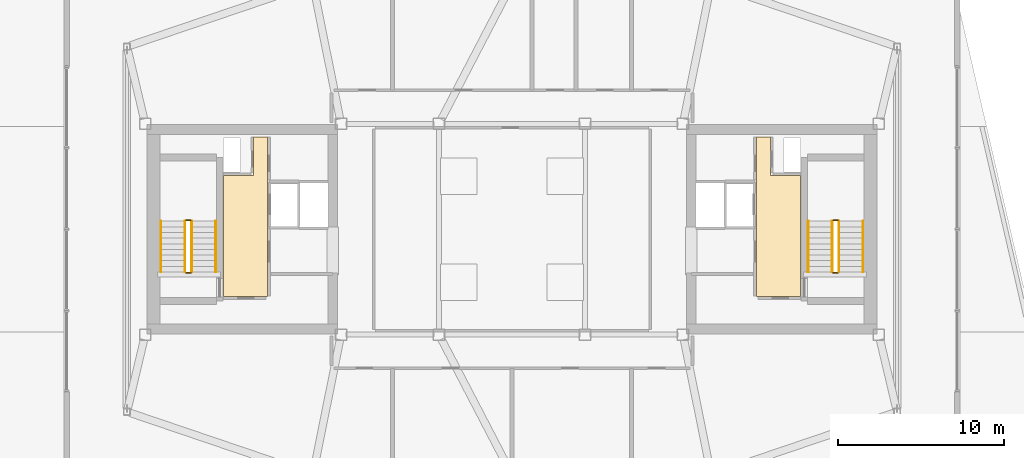
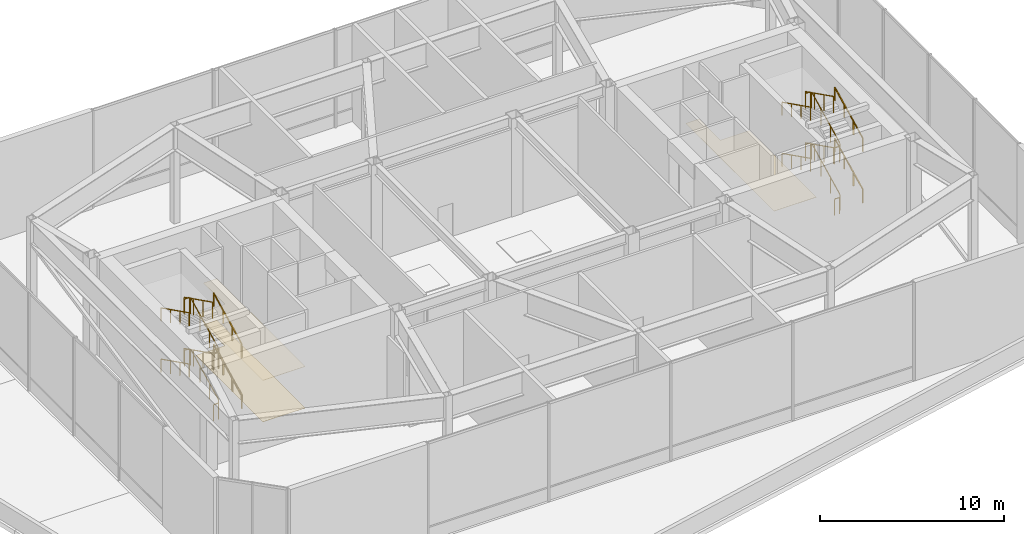
# One storey, part 25 of 25: 24 railings, 3 coverings.
"""IFC4 building model written with IfcOpenShell, lengths in metres."""

from ifc_helpers import new_model, si_unit, direction, frame, origin, origin_2d, place, context, subcontext, project, spatial, polyline, rectangle, outline, extrude, material, layer, layer_set, type_object, element, save


model = new_model("IFC4")

# Units and contexts
model_context = context("Model", 3, precision=1e-05, world=origin(), true_north=direction((0.0, 1.0)))
body_context = subcontext(model_context, "Body", "Model", "MODEL_VIEW")
ifc_project = project(units=[si_unit("LENGTHUNIT", "METRE"), si_unit("AREAUNIT", "SQUARE_METRE"), si_unit("VOLUMEUNIT", "CUBIC_METRE"), si_unit("PLANEANGLEUNIT", "RADIAN"), si_unit("MASSUNIT", "GRAM", prefix="KILO")], contexts=[model_context])

# Site, building, storey
site_placement = place(None, origin())
site = spatial("IfcSite", under=ifc_project, at=site_placement, CompositionType="ELEMENT")
building_placement = place(site_placement, origin())
building = spatial("IfcBuilding", under=site, at=building_placement, Name="Tavrogorsk Clinical Tower", CompositionType="ELEMENT")
storey_placement = place(building_placement, frame((0.0, 0.0, 333.0)))
storey = spatial("IfcBuildingStorey", under=building, at=storey_placement, Name="L78", CompositionType="ELEMENT", Elevation=333.0)

# Coverings
ifc_material_1 = material(Name="Antibacterial micro-perforated aluminium ceiling", Category="aluminium")
ifc_layer_1 = layer(ifc_material_1, 0.014892578125)
ifc_layer_set_1 = layer_set([ifc_layer_1], Name="Antibacterial micro-perforated aluminium ceiling")
covering_type_1 = type_object("IfcCoveringType", Name="ClinicalCeiling_15", PredefinedType="CEILING", material=ifc_layer_set_1)
covering_1_placement = place(storey_placement, frame((0.0, 0.0, 2.75)))
element("IfcCovering", 1, at=covering_1_placement, inside=storey, type_object=covering_type_1, Name="Core West Firefighting Lift Lobby Acoustic Ceiling", PredefinedType="CEILING", context=body_context, shape_type="SweptSolid", body=[
    extrude(outline(polyline([(-14.719970703125, 5.56005859375), (-14.719970703125, -4.06005859375), (-17.3798828125, -4.06005859375), (-17.3798828125, 3.239990234375), (-15.56005859375, 3.239990234375), (-15.56005859375, 5.56005859375), (-14.719970703125, 5.56005859375)])), origin(), (0.0, 0.0, 1.0), 0.014892578125),
])
covering_2_placement = place(storey_placement, frame((0.0, 0.0, 2.75)))
element("IfcCovering", 2, at=covering_2_placement, inside=storey, type_object=covering_type_1, Name="Core East Firefighting Lift Lobby Acoustic Ceiling", PredefinedType="CEILING", context=body_context, shape_type="SweptSolid", body=[
    extrude(outline(polyline([(17.3798828125, -4.06005859375), (14.719970703125, -4.06005859375), (14.719970703125, 5.56005859375), (15.56005859375, 5.56005859375), (15.56005859375, 3.239990234375), (17.3798828125, 3.239990234375), (17.3798828125, -4.06005859375)])), origin(), (0.0, 0.0, 1.0), 0.014892578125),
])
ifc_material_2 = material(Name="Homogeneous medical conductive PVC flooring")
ifc_layer_2 = layer(ifc_material_2, 0.008056640625)
ifc_layer_set_2 = layer_set([ifc_layer_2], Name="Homogeneous medical conductive PVC flooring")
covering_type_2 = type_object("IfcCoveringType", Name="ResilientVinylFloor_8", PredefinedType="FLOORING", material=ifc_layer_set_2)
covering_3_placement = place(storey_placement, origin())
element("IfcCovering", 3, at=covering_3_placement, inside=storey, type_object=covering_type_2, Name="Core West Firefighting Lift Lobby Conductive Vinyl Flooring", PredefinedType="FLOORING", context=body_context, shape_type="SweptSolid", body=[
    extrude(outline(polyline([(-14.719970703125, 5.56005859375), (-14.719970703125, -4.06005859375), (-17.3798828125, -4.06005859375), (-17.3798828125, 3.239990234375), (-15.56005859375, 3.239990234375), (-15.56005859375, 5.56005859375), (-14.719970703125, 5.56005859375)])), origin(), (0.0, 0.0, 1.0), 0.008056640625),
])

# Railings
ifc_material_3 = material(Name="Galvanised steel S355 safety stairwell guard", Category="steel")
ifc_layer_3 = layer(ifc_material_3, 0.06005859375)
ifc_layer_set_3 = layer_set([ifc_layer_3], Name="Galvanised steel S355 safety stairwell guard")
railing_type_1 = type_object("IfcRailingType", Name="StairGuard_1150", PredefinedType="GUARDRAIL", material=ifc_layer_set_3)
railing_1_placement = place(storey_placement, frame((-19.300048828125, -2.574951171875, 0.169921875)))
element("IfcRailing", 4, at=railing_1_placement, inside=storey, type_object=railing_type_1, Name="L78 ST-W stair guard 1", PredefinedType="GUARDRAIL", context=body_context, shape_type="SweptSolid", body=[
    extrude(rectangle(XDim=0.048095703125, YDim=0.048095703125, at=origin_2d()), frame((0.0, 0.0, 1.076171875), z_axis=(0.0, 0.894427191, 0.4472135955), x_axis=(-1.0, 0.0, 0.0)), (0.0, 0.0, 1.0), 3.421142578125),
    extrude(rectangle(XDim=0.0419921875, YDim=0.0419921875, at=origin_2d()), origin(), (0.0, 0.0, 1.0), 1.052001953125),
    extrude(rectangle(XDim=0.0419921875, YDim=0.0419921875, at=origin_2d()), frame((0.0, 1.02001953125, 0.510009765625)), (0.0, 0.0, 1.0), 1.052001953125),
    extrude(rectangle(XDim=0.0419921875, YDim=0.0419921875, at=origin_2d()), frame((0.0, 2.0400390625, 1.02001953125)), (0.0, 0.0, 1.0), 1.052001953125),
    extrude(rectangle(XDim=0.0419921875, YDim=0.0419921875, at=origin_2d()), frame((0.0, 3.06005859375, 1.530029296875)), (0.0, 0.0, 1.0), 1.052001953125),
])
railing_2_placement = place(storey_placement, frame((-19.35009765625, 0.534912109375, 1.699951171875)))
element("IfcRailing", 5, at=railing_2_placement, inside=storey, type_object=railing_type_1, Name="L78 ST-W stair guard 2", PredefinedType="GUARDRAIL", context=body_context, shape_type="SweptSolid", body=[
    extrude(rectangle(XDim=0.048095703125, YDim=0.048095703125, at=origin_2d()), frame((0.0, 0.0, 1.076171875), z_axis=(-1.0, 0.0, 0.0), x_axis=(0.0, -1.0, 0.0)), (0.0, 0.0, 1.0), 0.2998046875),
    extrude(rectangle(XDim=0.0419921875, YDim=0.0419921875, at=origin_2d()), origin(), (0.0, 0.0, 1.0), 1.052001953125),
    extrude(rectangle(XDim=0.0419921875, YDim=0.0419921875, at=origin_2d()), frame((-0.2998046875, 0.0, 0.0)), (0.0, 0.0, 1.0), 1.052001953125),
])
railing_3_placement = place(storey_placement, frame((-19.699951171875, 0.485107421875, 1.8701171875)))
element("IfcRailing", 6, at=railing_3_placement, inside=storey, type_object=railing_type_1, Name="L78 ST-W stair guard 3", PredefinedType="GUARDRAIL", context=body_context, shape_type="SweptSolid", body=[
    extrude(rectangle(XDim=0.048095703125, YDim=0.048095703125, at=origin_2d()), frame((0.0, 0.0, 1.076171875), z_axis=(0.0, -0.894455734119, 0.447156504706), x_axis=(1.0, 0.0, 0.0)), (0.0, 0.0, 1.0), 3.421142578125),
    extrude(rectangle(XDim=0.0419921875, YDim=0.0419921875, at=origin_2d()), origin(), (0.0, 0.0, 1.0), 1.052001953125),
    extrude(rectangle(XDim=0.0419921875, YDim=0.0419921875, at=origin_2d()), frame((0.0, -1.02001953125, 0.510009765625)), (0.0, 0.0, 1.0), 1.052001953125),
    extrude(rectangle(XDim=0.0419921875, YDim=0.0419921875, at=origin_2d()), frame((0.0, -2.0400390625, 1.019775390625)), (0.0, 0.0, 1.0), 1.052001953125),
    extrude(rectangle(XDim=0.0419921875, YDim=0.0419921875, at=origin_2d()), frame((0.0, -3.06005859375, 1.52978515625)), (0.0, 0.0, 1.0), 1.052001953125),
])
railing_4_placement = place(storey_placement, frame((-19.35009765625, -2.625, 3.39990234375)))
element("IfcRailing", 7, at=railing_4_placement, inside=storey, type_object=railing_type_1, Name="L78 ST-W stair guard 4", PredefinedType="GUARDRAIL", context=body_context, shape_type="SweptSolid", body=[
    extrude(rectangle(XDim=0.048095703125, YDim=0.048095703125, at=origin_2d()), frame((0.0, 0.0, 1.076171875), z_axis=(-1.0, 0.0, 0.0), x_axis=(0.0, -1.0, 0.0)), (0.0, 0.0, 1.0), 0.2998046875),
    extrude(rectangle(XDim=0.0419921875, YDim=0.0419921875, at=origin_2d()), origin(), (0.0, 0.0, 1.0), 1.052001953125),
    extrude(rectangle(XDim=0.0419921875, YDim=0.0419921875, at=origin_2d()), frame((-0.2998046875, 0.0, 0.0)), (0.0, 0.0, 1.0), 1.052001953125),
])
railing_5_placement = place(storey_placement, frame((-19.300048828125, -2.574951171875, 3.570068359375)))
element("IfcRailing", 8, at=railing_5_placement, inside=storey, type_object=railing_type_1, Name="L78 ST-W stair guard 5", PredefinedType="GUARDRAIL", context=body_context, shape_type="SweptSolid", body=[
    extrude(rectangle(XDim=0.048095703125, YDim=0.048095703125, at=origin_2d()), frame((0.0, 0.0, 1.076171875), z_axis=(0.0, 0.894427191, 0.4472135955), x_axis=(-1.0, 0.0, 0.0)), (0.0, 0.0, 1.0), 3.421142578125),
    extrude(rectangle(XDim=0.0419921875, YDim=0.0419921875, at=origin_2d()), origin(), (0.0, 0.0, 1.0), 1.052001953125),
    extrude(rectangle(XDim=0.0419921875, YDim=0.0419921875, at=origin_2d()), frame((0.0, 1.02001953125, 0.510009765625)), (0.0, 0.0, 1.0), 1.052001953125),
    extrude(rectangle(XDim=0.0419921875, YDim=0.0419921875, at=origin_2d()), frame((0.0, 2.0400390625, 1.02001953125)), (0.0, 0.0, 1.0), 1.052001953125),
    extrude(rectangle(XDim=0.0419921875, YDim=0.0419921875, at=origin_2d()), frame((0.0, 3.06005859375, 1.530029296875)), (0.0, 0.0, 1.0), 1.052001953125),
])
railing_6_placement = place(storey_placement, frame((-19.35009765625, 0.534912109375, 5.10009765625)))
element("IfcRailing", 9, at=railing_6_placement, inside=storey, type_object=railing_type_1, Name="L78 ST-W stair guard 6", PredefinedType="GUARDRAIL", context=body_context, shape_type="SweptSolid", body=[
    extrude(rectangle(XDim=0.048095703125, YDim=0.048095703125, at=origin_2d()), frame((0.0, 0.0, 1.076171875), z_axis=(-1.0, 0.0, 0.0), x_axis=(0.0, -1.0, 0.0)), (0.0, 0.0, 1.0), 0.2998046875),
    extrude(rectangle(XDim=0.0419921875, YDim=0.0419921875, at=origin_2d()), origin(), (0.0, 0.0, 1.0), 1.052001953125),
    extrude(rectangle(XDim=0.0419921875, YDim=0.0419921875, at=origin_2d()), frame((-0.2998046875, 0.0, 0.0)), (0.0, 0.0, 1.0), 1.052001953125),
])
railing_7_placement = place(storey_placement, frame((-19.699951171875, 0.485107421875, 5.27001953125)))
element("IfcRailing", 10, at=railing_7_placement, inside=storey, type_object=railing_type_1, Name="L78 ST-W stair guard 7", PredefinedType="GUARDRAIL", context=body_context, shape_type="SweptSolid", body=[
    extrude(rectangle(XDim=0.048095703125, YDim=0.048095703125, at=origin_2d()), frame((0.0, 0.0, 1.076171875), z_axis=(0.0, -0.894427191, 0.4472135955), x_axis=(1.0, 0.0, 0.0)), (0.0, 0.0, 1.0), 3.421142578125),
    extrude(rectangle(XDim=0.0419921875, YDim=0.0419921875, at=origin_2d()), origin(), (0.0, 0.0, 1.0), 1.052001953125),
    extrude(rectangle(XDim=0.0419921875, YDim=0.0419921875, at=origin_2d()), frame((0.0, -1.02001953125, 0.510009765625)), (0.0, 0.0, 1.0), 1.052001953125),
    extrude(rectangle(XDim=0.0419921875, YDim=0.0419921875, at=origin_2d()), frame((0.0, -2.0400390625, 1.02001953125)), (0.0, 0.0, 1.0), 1.052001953125),
    extrude(rectangle(XDim=0.0419921875, YDim=0.0419921875, at=origin_2d()), frame((0.0, -3.06005859375, 1.530029296875)), (0.0, 0.0, 1.0), 1.052001953125),
])
railing_8_placement = place(storey_placement, frame((-19.35009765625, -2.625, 0.0)))
element("IfcRailing", 11, at=railing_8_placement, inside=storey, type_object=railing_type_1, Name="L78 ST-W stair guard 8", PredefinedType="GUARDRAIL", context=body_context, shape_type="SweptSolid", body=[
    extrude(rectangle(XDim=0.048095703125, YDim=0.048095703125, at=origin_2d()), frame((0.0, 0.0, 1.076171875), z_axis=(-1.0, 0.0, 0.0), x_axis=(0.0, -1.0, 0.0)), (0.0, 0.0, 1.0), 0.2998046875),
    extrude(rectangle(XDim=0.0419921875, YDim=0.0419921875, at=origin_2d()), origin(), (0.0, 0.0, 1.0), 1.052001953125),
    extrude(rectangle(XDim=0.0419921875, YDim=0.0419921875, at=origin_2d()), frame((-0.2998046875, 0.0, 0.0)), (0.0, 0.0, 1.0), 1.052001953125),
])
railing_9_placement = place(storey_placement, frame((19.699951171875, -2.574951171875, 0.169921875)))
element("IfcRailing", 12, at=railing_9_placement, inside=storey, type_object=railing_type_1, Name="L78 ST-E stair guard 1", PredefinedType="GUARDRAIL", context=body_context, shape_type="SweptSolid", body=[
    extrude(rectangle(XDim=0.048095703125, YDim=0.048095703125, at=origin_2d()), frame((0.0, 0.0, 1.076171875), z_axis=(0.0, 0.894427191, 0.4472135955), x_axis=(-1.0, 0.0, 0.0)), (0.0, 0.0, 1.0), 3.421142578125),
    extrude(rectangle(XDim=0.0419921875, YDim=0.0419921875, at=origin_2d()), origin(), (0.0, 0.0, 1.0), 1.052001953125),
    extrude(rectangle(XDim=0.0419921875, YDim=0.0419921875, at=origin_2d()), frame((0.0, 1.02001953125, 0.510009765625)), (0.0, 0.0, 1.0), 1.052001953125),
    extrude(rectangle(XDim=0.0419921875, YDim=0.0419921875, at=origin_2d()), frame((0.0, 2.0400390625, 1.02001953125)), (0.0, 0.0, 1.0), 1.052001953125),
    extrude(rectangle(XDim=0.0419921875, YDim=0.0419921875, at=origin_2d()), frame((0.0, 3.06005859375, 1.530029296875)), (0.0, 0.0, 1.0), 1.052001953125),
])
railing_10_placement = place(storey_placement, frame((19.64990234375, 0.534912109375, 1.699951171875)))
element("IfcRailing", 13, at=railing_10_placement, inside=storey, type_object=railing_type_1, Name="L78 ST-E stair guard 2", PredefinedType="GUARDRAIL", context=body_context, shape_type="SweptSolid", body=[
    extrude(rectangle(XDim=0.048095703125, YDim=0.048095703125, at=origin_2d()), frame((0.0, 0.0, 1.076171875), z_axis=(-1.0, 0.0, 0.0), x_axis=(0.0, -1.0, 0.0)), (0.0, 0.0, 1.0), 0.2998046875),
    extrude(rectangle(XDim=0.0419921875, YDim=0.0419921875, at=origin_2d()), origin(), (0.0, 0.0, 1.0), 1.052001953125),
    extrude(rectangle(XDim=0.0419921875, YDim=0.0419921875, at=origin_2d()), frame((-0.2998046875, 0.0, 0.0)), (0.0, 0.0, 1.0), 1.052001953125),
])
railing_11_placement = place(storey_placement, frame((19.300048828125, 0.485107421875, 1.8701171875)))
element("IfcRailing", 14, at=railing_11_placement, inside=storey, type_object=railing_type_1, Name="L78 ST-E stair guard 3", PredefinedType="GUARDRAIL", context=body_context, shape_type="SweptSolid", body=[
    extrude(rectangle(XDim=0.048095703125, YDim=0.048095703125, at=origin_2d()), frame((0.0, 0.0, 1.076171875), z_axis=(0.0, -0.894455734119, 0.447156504706), x_axis=(1.0, 0.0, 0.0)), (0.0, 0.0, 1.0), 3.421142578125),
    extrude(rectangle(XDim=0.0419921875, YDim=0.0419921875, at=origin_2d()), origin(), (0.0, 0.0, 1.0), 1.052001953125),
    extrude(rectangle(XDim=0.0419921875, YDim=0.0419921875, at=origin_2d()), frame((0.0, -1.02001953125, 0.510009765625)), (0.0, 0.0, 1.0), 1.052001953125),
    extrude(rectangle(XDim=0.0419921875, YDim=0.0419921875, at=origin_2d()), frame((0.0, -2.0400390625, 1.019775390625)), (0.0, 0.0, 1.0), 1.052001953125),
    extrude(rectangle(XDim=0.0419921875, YDim=0.0419921875, at=origin_2d()), frame((0.0, -3.06005859375, 1.52978515625)), (0.0, 0.0, 1.0), 1.052001953125),
])
railing_12_placement = place(storey_placement, frame((19.64990234375, -2.625, 3.39990234375)))
element("IfcRailing", 15, at=railing_12_placement, inside=storey, type_object=railing_type_1, Name="L78 ST-E stair guard 4", PredefinedType="GUARDRAIL", context=body_context, shape_type="SweptSolid", body=[
    extrude(rectangle(XDim=0.048095703125, YDim=0.048095703125, at=origin_2d()), frame((0.0, 0.0, 1.076171875), z_axis=(-1.0, 0.0, 0.0), x_axis=(0.0, -1.0, 0.0)), (0.0, 0.0, 1.0), 0.2998046875),
    extrude(rectangle(XDim=0.0419921875, YDim=0.0419921875, at=origin_2d()), origin(), (0.0, 0.0, 1.0), 1.052001953125),
    extrude(rectangle(XDim=0.0419921875, YDim=0.0419921875, at=origin_2d()), frame((-0.2998046875, 0.0, 0.0)), (0.0, 0.0, 1.0), 1.052001953125),
])
railing_13_placement = place(storey_placement, frame((19.699951171875, -2.574951171875, 3.570068359375)))
element("IfcRailing", 16, at=railing_13_placement, inside=storey, type_object=railing_type_1, Name="L78 ST-E stair guard 5", PredefinedType="GUARDRAIL", context=body_context, shape_type="SweptSolid", body=[
    extrude(rectangle(XDim=0.048095703125, YDim=0.048095703125, at=origin_2d()), frame((0.0, 0.0, 1.076171875), z_axis=(0.0, 0.894427191, 0.4472135955), x_axis=(-1.0, 0.0, 0.0)), (0.0, 0.0, 1.0), 3.421142578125),
    extrude(rectangle(XDim=0.0419921875, YDim=0.0419921875, at=origin_2d()), origin(), (0.0, 0.0, 1.0), 1.052001953125),
    extrude(rectangle(XDim=0.0419921875, YDim=0.0419921875, at=origin_2d()), frame((0.0, 1.02001953125, 0.510009765625)), (0.0, 0.0, 1.0), 1.052001953125),
    extrude(rectangle(XDim=0.0419921875, YDim=0.0419921875, at=origin_2d()), frame((0.0, 2.0400390625, 1.02001953125)), (0.0, 0.0, 1.0), 1.052001953125),
    extrude(rectangle(XDim=0.0419921875, YDim=0.0419921875, at=origin_2d()), frame((0.0, 3.06005859375, 1.530029296875)), (0.0, 0.0, 1.0), 1.052001953125),
])
railing_14_placement = place(storey_placement, frame((19.64990234375, 0.534912109375, 5.10009765625)))
element("IfcRailing", 17, at=railing_14_placement, inside=storey, type_object=railing_type_1, Name="L78 ST-E stair guard 6", PredefinedType="GUARDRAIL", context=body_context, shape_type="SweptSolid", body=[
    extrude(rectangle(XDim=0.048095703125, YDim=0.048095703125, at=origin_2d()), frame((0.0, 0.0, 1.076171875), z_axis=(-1.0, 0.0, 0.0), x_axis=(0.0, -1.0, 0.0)), (0.0, 0.0, 1.0), 0.2998046875),
    extrude(rectangle(XDim=0.0419921875, YDim=0.0419921875, at=origin_2d()), origin(), (0.0, 0.0, 1.0), 1.052001953125),
    extrude(rectangle(XDim=0.0419921875, YDim=0.0419921875, at=origin_2d()), frame((-0.2998046875, 0.0, 0.0)), (0.0, 0.0, 1.0), 1.052001953125),
])
railing_15_placement = place(storey_placement, frame((19.300048828125, 0.485107421875, 5.27001953125)))
element("IfcRailing", 18, at=railing_15_placement, inside=storey, type_object=railing_type_1, Name="L78 ST-E stair guard 7", PredefinedType="GUARDRAIL", context=body_context, shape_type="SweptSolid", body=[
    extrude(rectangle(XDim=0.048095703125, YDim=0.048095703125, at=origin_2d()), frame((0.0, 0.0, 1.076171875), z_axis=(0.0, -0.894427191, 0.4472135955), x_axis=(1.0, 0.0, 0.0)), (0.0, 0.0, 1.0), 3.421142578125),
    extrude(rectangle(XDim=0.0419921875, YDim=0.0419921875, at=origin_2d()), origin(), (0.0, 0.0, 1.0), 1.052001953125),
    extrude(rectangle(XDim=0.0419921875, YDim=0.0419921875, at=origin_2d()), frame((0.0, -1.02001953125, 0.510009765625)), (0.0, 0.0, 1.0), 1.052001953125),
    extrude(rectangle(XDim=0.0419921875, YDim=0.0419921875, at=origin_2d()), frame((0.0, -2.0400390625, 1.02001953125)), (0.0, 0.0, 1.0), 1.052001953125),
    extrude(rectangle(XDim=0.0419921875, YDim=0.0419921875, at=origin_2d()), frame((0.0, -3.06005859375, 1.530029296875)), (0.0, 0.0, 1.0), 1.052001953125),
])
railing_16_placement = place(storey_placement, frame((19.64990234375, -2.625, 0.0)))
element("IfcRailing", 19, at=railing_16_placement, inside=storey, type_object=railing_type_1, Name="L78 ST-E stair guard 8", PredefinedType="GUARDRAIL", context=body_context, shape_type="SweptSolid", body=[
    extrude(rectangle(XDim=0.048095703125, YDim=0.048095703125, at=origin_2d()), frame((0.0, 0.0, 1.076171875), z_axis=(-1.0, 0.0, 0.0), x_axis=(0.0, -1.0, 0.0)), (0.0, 0.0, 1.0), 0.2998046875),
    extrude(rectangle(XDim=0.0419921875, YDim=0.0419921875, at=origin_2d()), origin(), (0.0, 0.0, 1.0), 1.052001953125),
    extrude(rectangle(XDim=0.0419921875, YDim=0.0419921875, at=origin_2d()), frame((-0.2998046875, 0.0, 0.0)), (0.0, 0.0, 1.0), 1.052001953125),
])
ifc_material_4 = material(Name="Stainless steel AISI 304 tubular handrail", Category="steel")
ifc_layer_4 = layer(ifc_material_4, 0.050048828125)
ifc_layer_set_4 = layer_set([ifc_layer_4], Name="Stainless steel AISI 304 tubular handrail")
railing_type_2 = type_object("IfcRailingType", Name="StairHandrail_920", PredefinedType="HANDRAIL", material=ifc_layer_set_4)
railing_17_placement = place(storey_placement, frame((-17.85009765625, -2.574951171875, 0.169921875)))
element("IfcRailing", 20, at=railing_17_placement, inside=storey, type_object=railing_type_2, Name="L78 ST-W stair handrail 1", PredefinedType="HANDRAIL", context=body_context, shape_type="SweptSolid", body=[
    extrude(rectangle(XDim=0.048095703125, YDim=0.048095703125, at=origin_2d()), frame((0.0, 0.0, 0.8759765625), z_axis=(0.0, 0.894427191, 0.4472135955), x_axis=(-1.0, 0.0, 0.0)), (0.0, 0.0, 1.0), 3.421142578125),
    extrude(rectangle(XDim=0.0419921875, YDim=0.0419921875, at=origin_2d()), origin(), (0.0, 0.0, 1.0), 0.851806640625),
    extrude(rectangle(XDim=0.0419921875, YDim=0.0419921875, at=origin_2d()), frame((0.0, 1.02001953125, 0.510009765625)), (0.0, 0.0, 1.0), 0.851806640625),
    extrude(rectangle(XDim=0.0419921875, YDim=0.0419921875, at=origin_2d()), frame((0.0, 2.0400390625, 1.02001953125)), (0.0, 0.0, 1.0), 0.851806640625),
    extrude(rectangle(XDim=0.0419921875, YDim=0.0419921875, at=origin_2d()), frame((0.0, 3.06005859375, 1.530029296875)), (0.0, 0.0, 1.0), 0.851806640625),
])
railing_18_placement = place(storey_placement, frame((-21.14990234375, 0.485107421875, 1.8701171875)))
element("IfcRailing", 21, at=railing_18_placement, inside=storey, type_object=railing_type_2, Name="L78 ST-W stair handrail 2", PredefinedType="HANDRAIL", context=body_context, shape_type="SweptSolid", body=[
    extrude(rectangle(XDim=0.048095703125, YDim=0.048095703125, at=origin_2d()), frame((0.0, 0.0, 0.8759765625), z_axis=(0.0, -0.894455734119, 0.447156504706), x_axis=(1.0, 0.0, 0.0)), (0.0, 0.0, 1.0), 3.421142578125),
    extrude(rectangle(XDim=0.0419921875, YDim=0.0419921875, at=origin_2d()), origin(), (0.0, 0.0, 1.0), 0.851806640625),
    extrude(rectangle(XDim=0.0419921875, YDim=0.0419921875, at=origin_2d()), frame((0.0, -1.02001953125, 0.510009765625)), (0.0, 0.0, 1.0), 0.851806640625),
    extrude(rectangle(XDim=0.0419921875, YDim=0.0419921875, at=origin_2d()), frame((0.0, -2.0400390625, 1.019775390625)), (0.0, 0.0, 1.0), 0.851806640625),
    extrude(rectangle(XDim=0.0419921875, YDim=0.0419921875, at=origin_2d()), frame((0.0, -3.06005859375, 1.52978515625)), (0.0, 0.0, 1.0), 0.851806640625),
])
railing_19_placement = place(storey_placement, frame((-17.85009765625, -2.574951171875, 3.570068359375)))
element("IfcRailing", 22, at=railing_19_placement, inside=storey, type_object=railing_type_2, Name="L78 ST-W stair handrail 3", PredefinedType="HANDRAIL", context=body_context, shape_type="SweptSolid", body=[
    extrude(rectangle(XDim=0.048095703125, YDim=0.048095703125, at=origin_2d()), frame((0.0, 0.0, 0.8759765625), z_axis=(0.0, 0.894427191, 0.4472135955), x_axis=(-1.0, 0.0, 0.0)), (0.0, 0.0, 1.0), 3.421142578125),
    extrude(rectangle(XDim=0.0419921875, YDim=0.0419921875, at=origin_2d()), origin(), (0.0, 0.0, 1.0), 0.851806640625),
    extrude(rectangle(XDim=0.0419921875, YDim=0.0419921875, at=origin_2d()), frame((0.0, 1.02001953125, 0.510009765625)), (0.0, 0.0, 1.0), 0.851806640625),
    extrude(rectangle(XDim=0.0419921875, YDim=0.0419921875, at=origin_2d()), frame((0.0, 2.0400390625, 1.02001953125)), (0.0, 0.0, 1.0), 0.851806640625),
    extrude(rectangle(XDim=0.0419921875, YDim=0.0419921875, at=origin_2d()), frame((0.0, 3.06005859375, 1.530029296875)), (0.0, 0.0, 1.0), 0.851806640625),
])
railing_20_placement = place(storey_placement, frame((-21.14990234375, 0.485107421875, 5.27001953125)))
element("IfcRailing", 23, at=railing_20_placement, inside=storey, type_object=railing_type_2, Name="L78 ST-W stair handrail 4", PredefinedType="HANDRAIL", context=body_context, shape_type="SweptSolid", body=[
    extrude(rectangle(XDim=0.048095703125, YDim=0.048095703125, at=origin_2d()), frame((0.0, 0.0, 0.8759765625), z_axis=(0.0, -0.894427191, 0.4472135955), x_axis=(1.0, 0.0, 0.0)), (0.0, 0.0, 1.0), 3.421142578125),
    extrude(rectangle(XDim=0.0419921875, YDim=0.0419921875, at=origin_2d()), origin(), (0.0, 0.0, 1.0), 0.851806640625),
    extrude(rectangle(XDim=0.0419921875, YDim=0.0419921875, at=origin_2d()), frame((0.0, -1.02001953125, 0.510009765625)), (0.0, 0.0, 1.0), 0.851806640625),
    extrude(rectangle(XDim=0.0419921875, YDim=0.0419921875, at=origin_2d()), frame((0.0, -2.0400390625, 1.02001953125)), (0.0, 0.0, 1.0), 0.851806640625),
    extrude(rectangle(XDim=0.0419921875, YDim=0.0419921875, at=origin_2d()), frame((0.0, -3.06005859375, 1.530029296875)), (0.0, 0.0, 1.0), 0.851806640625),
])
railing_21_placement = place(storey_placement, frame((21.14990234375, -2.574951171875, 0.169921875)))
element("IfcRailing", 24, at=railing_21_placement, inside=storey, type_object=railing_type_2, Name="L78 ST-E stair handrail 1", PredefinedType="HANDRAIL", context=body_context, shape_type="SweptSolid", body=[
    extrude(rectangle(XDim=0.048095703125, YDim=0.048095703125, at=origin_2d()), frame((0.0, 0.0, 0.8759765625), z_axis=(0.0, 0.894427191, 0.4472135955), x_axis=(-1.0, 0.0, 0.0)), (0.0, 0.0, 1.0), 3.421142578125),
    extrude(rectangle(XDim=0.0419921875, YDim=0.0419921875, at=origin_2d()), origin(), (0.0, 0.0, 1.0), 0.851806640625),
    extrude(rectangle(XDim=0.0419921875, YDim=0.0419921875, at=origin_2d()), frame((0.0, 1.02001953125, 0.510009765625)), (0.0, 0.0, 1.0), 0.851806640625),
    extrude(rectangle(XDim=0.0419921875, YDim=0.0419921875, at=origin_2d()), frame((0.0, 2.0400390625, 1.02001953125)), (0.0, 0.0, 1.0), 0.851806640625),
    extrude(rectangle(XDim=0.0419921875, YDim=0.0419921875, at=origin_2d()), frame((0.0, 3.06005859375, 1.530029296875)), (0.0, 0.0, 1.0), 0.851806640625),
])
railing_22_placement = place(storey_placement, frame((17.85009765625, 0.485107421875, 1.8701171875)))
element("IfcRailing", 25, at=railing_22_placement, inside=storey, type_object=railing_type_2, Name="L78 ST-E stair handrail 2", PredefinedType="HANDRAIL", context=body_context, shape_type="SweptSolid", body=[
    extrude(rectangle(XDim=0.048095703125, YDim=0.048095703125, at=origin_2d()), frame((0.0, 0.0, 0.8759765625), z_axis=(0.0, -0.894455734119, 0.447156504706), x_axis=(1.0, 0.0, 0.0)), (0.0, 0.0, 1.0), 3.421142578125),
    extrude(rectangle(XDim=0.0419921875, YDim=0.0419921875, at=origin_2d()), origin(), (0.0, 0.0, 1.0), 0.851806640625),
    extrude(rectangle(XDim=0.0419921875, YDim=0.0419921875, at=origin_2d()), frame((0.0, -1.02001953125, 0.510009765625)), (0.0, 0.0, 1.0), 0.851806640625),
    extrude(rectangle(XDim=0.0419921875, YDim=0.0419921875, at=origin_2d()), frame((0.0, -2.0400390625, 1.019775390625)), (0.0, 0.0, 1.0), 0.851806640625),
    extrude(rectangle(XDim=0.0419921875, YDim=0.0419921875, at=origin_2d()), frame((0.0, -3.06005859375, 1.52978515625)), (0.0, 0.0, 1.0), 0.851806640625),
])
railing_23_placement = place(storey_placement, frame((21.14990234375, -2.574951171875, 3.570068359375)))
element("IfcRailing", 26, at=railing_23_placement, inside=storey, type_object=railing_type_2, Name="L78 ST-E stair handrail 3", PredefinedType="HANDRAIL", context=body_context, shape_type="SweptSolid", body=[
    extrude(rectangle(XDim=0.048095703125, YDim=0.048095703125, at=origin_2d()), frame((0.0, 0.0, 0.8759765625), z_axis=(0.0, 0.894427191, 0.4472135955), x_axis=(-1.0, 0.0, 0.0)), (0.0, 0.0, 1.0), 3.421142578125),
    extrude(rectangle(XDim=0.0419921875, YDim=0.0419921875, at=origin_2d()), origin(), (0.0, 0.0, 1.0), 0.851806640625),
    extrude(rectangle(XDim=0.0419921875, YDim=0.0419921875, at=origin_2d()), frame((0.0, 1.02001953125, 0.510009765625)), (0.0, 0.0, 1.0), 0.851806640625),
    extrude(rectangle(XDim=0.0419921875, YDim=0.0419921875, at=origin_2d()), frame((0.0, 2.0400390625, 1.02001953125)), (0.0, 0.0, 1.0), 0.851806640625),
    extrude(rectangle(XDim=0.0419921875, YDim=0.0419921875, at=origin_2d()), frame((0.0, 3.06005859375, 1.530029296875)), (0.0, 0.0, 1.0), 0.851806640625),
])
railing_24_placement = place(storey_placement, frame((17.85009765625, 0.485107421875, 5.27001953125)))
element("IfcRailing", 27, at=railing_24_placement, inside=storey, type_object=railing_type_2, Name="L78 ST-E stair handrail 4", PredefinedType="HANDRAIL", context=body_context, shape_type="SweptSolid", body=[
    extrude(rectangle(XDim=0.048095703125, YDim=0.048095703125, at=origin_2d()), frame((0.0, 0.0, 0.8759765625), z_axis=(0.0, -0.894427191, 0.4472135955), x_axis=(1.0, 0.0, 0.0)), (0.0, 0.0, 1.0), 3.421142578125),
    extrude(rectangle(XDim=0.0419921875, YDim=0.0419921875, at=origin_2d()), origin(), (0.0, 0.0, 1.0), 0.851806640625),
    extrude(rectangle(XDim=0.0419921875, YDim=0.0419921875, at=origin_2d()), frame((0.0, -1.02001953125, 0.510009765625)), (0.0, 0.0, 1.0), 0.851806640625),
    extrude(rectangle(XDim=0.0419921875, YDim=0.0419921875, at=origin_2d()), frame((0.0, -2.0400390625, 1.02001953125)), (0.0, 0.0, 1.0), 0.851806640625),
    extrude(rectangle(XDim=0.0419921875, YDim=0.0419921875, at=origin_2d()), frame((0.0, -3.06005859375, 1.530029296875)), (0.0, 0.0, 1.0), 0.851806640625),
])

save(model, "model.ifc")
